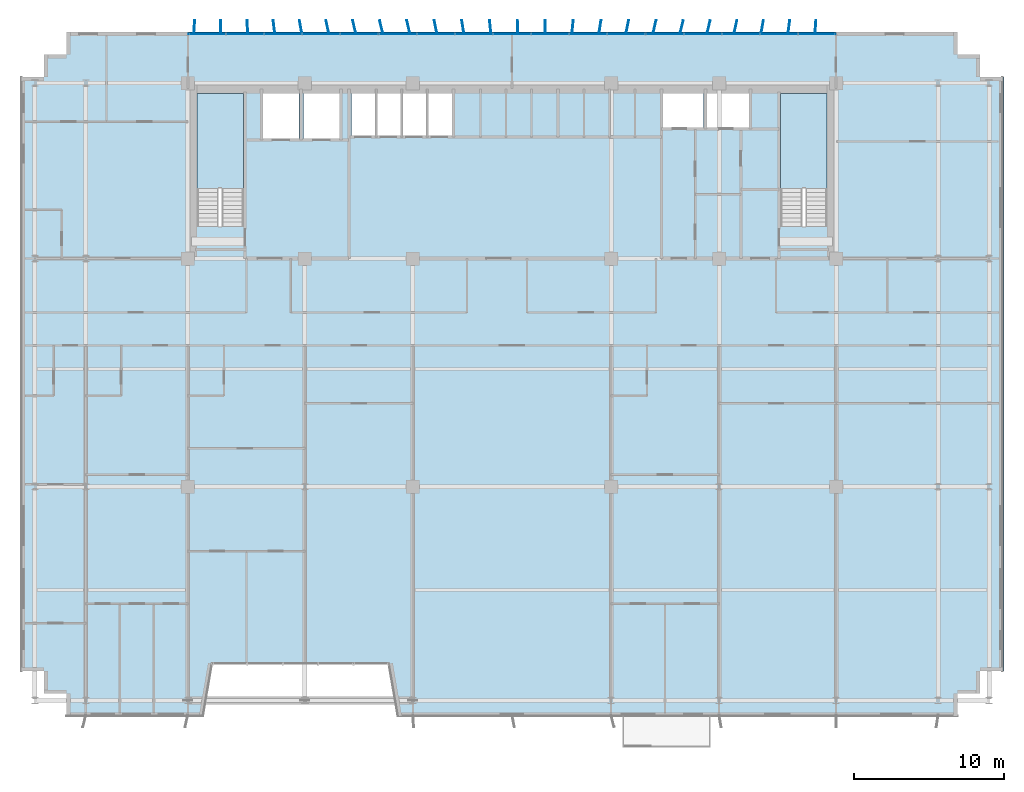
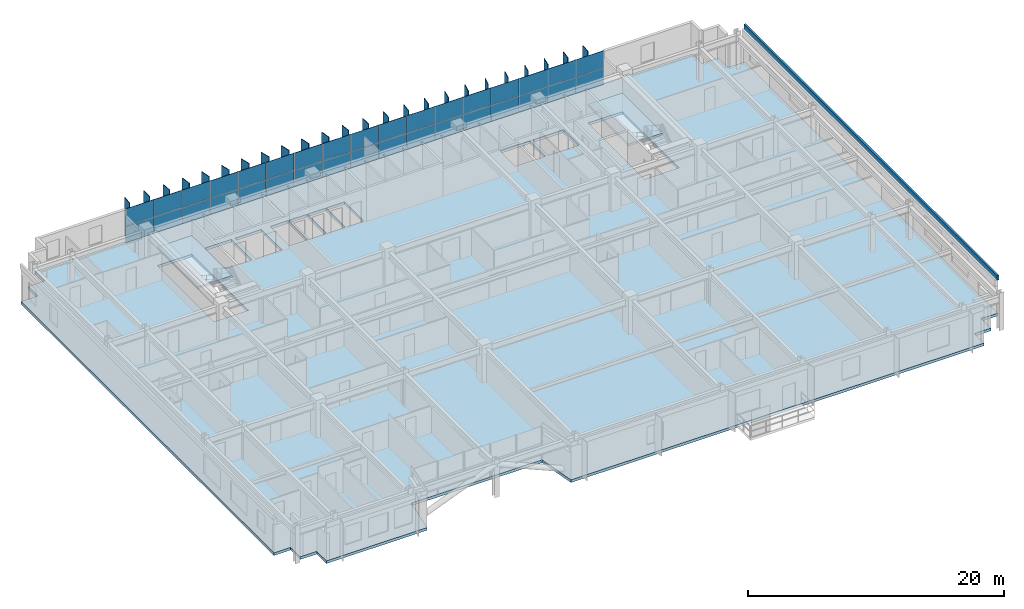
# One storey, part 17 of 25: 59 plates, 3 slabs, 3 elements without a shape of their own.
"""IFC4 building model written with IfcOpenShell, lengths in metres."""

from ifc_helpers import new_model, si_unit, direction, frame, origin, origin_2d, place, context, subcontext, project, spatial, polyline, rectangle, outline, extrude, source, transform, mapped, material, layer, layer_set, type_object, element, aggregate, save


model = new_model("IFC4")

# Units and contexts
model_context = context("Model", 3, precision=1e-05, world=origin(), true_north=direction((0.0, 1.0)))
body_context = subcontext(model_context, "Body", "Model", "MODEL_VIEW")
ifc_project = project(units=[si_unit("LENGTHUNIT", "METRE"), si_unit("AREAUNIT", "SQUARE_METRE"), si_unit("VOLUMEUNIT", "CUBIC_METRE"), si_unit("PLANEANGLEUNIT", "RADIAN"), si_unit("MASSUNIT", "GRAM", prefix="KILO")], contexts=[model_context])

# Site, building, storey
site_placement = place(None, origin())
site = spatial("IfcSite", under=ifc_project, at=site_placement, CompositionType="ELEMENT")
building_placement = place(site_placement, origin())
building = spatial("IfcBuilding", under=site, at=building_placement, Name="Trelvane Seafront Commons", CompositionType="ELEMENT")
storey_placement = place(building_placement, frame((0.0, 0.0, 70.300048828125)))
storey = spatial("IfcBuildingStorey", under=building, at=storey_placement, Name="L18", CompositionType="ELEMENT", Elevation=70.300048828125)

# Stair, slab
ifc_material_1 = material(Name="Concrete C40/50", Category="concrete")
stair_type_1 = type_object("IfcStairType", Name="ARCH-STR-ST-1-R20-180", PredefinedType="HALF_TURN_STAIR", material=ifc_material_1)
stair_1_placement = place(storey_placement, origin())
stair_1 = element("IfcStair", 1, at=stair_1_placement, inside=storey, type_object=stair_type_1, Name="L18 West Protected Firefighting Exit Stair ST-1", PredefinedType="HALF_TURN_STAIR")
ifc_layer_1 = layer(ifc_material_1, 0.199951171875, Name="ARCH-LND-200")
ifc_layer_set_1 = layer_set([ifc_layer_1], Name="Concrete C40/50")
slab_type_1 = type_object("IfcSlabType", Name="ARCH-LND-200", PredefinedType="LANDING", material=ifc_layer_set_1)
slab_1_placement = place(storey_placement, frame((0.0, 0.0, 1.599853515625)))
slab_1 = element("IfcSlab", 2, at=slab_1_placement, type_object=slab_type_1, Name="ST-1 landing 1", PredefinedType="LANDING", context=body_context, shape_type="SweptSolid", body=[
    extrude(outline(polyline([(19.300048828125, 38.070068359375), (19.300048828125, 44.39990234375), (16.199951171875, 44.39990234375), (16.199951171875, 38.070068359375), (19.300048828125, 38.070068359375)])), origin(), (0.0, 0.0, 1.0), 0.2001953125),
])
aggregate(stair_1, [slab_1])

stair_type_2 = type_object("IfcStairType", Name="ARCH-STR-ST-2-R20-180", PredefinedType="HALF_TURN_STAIR", material=ifc_material_1)
stair_2_placement = place(storey_placement, origin())
stair_2 = element("IfcStair", 3, at=stair_2_placement, inside=storey, type_object=stair_type_2, Name="L18 East Protected Firefighting Exit Stair ST-2", PredefinedType="HALF_TURN_STAIR")
slab_2_placement = place(storey_placement, frame((0.0, 0.0, 1.599853515625)))
slab_2 = element("IfcSlab", 4, at=slab_2_placement, type_object=slab_type_1, Name="ST-2 landing 1", PredefinedType="LANDING", context=body_context, shape_type="SweptSolid", body=[
    extrude(outline(polyline([(58.199951171875, 38.070068359375), (58.199951171875, 44.39990234375), (55.10009765625, 44.39990234375), (55.10009765625, 38.070068359375), (58.199951171875, 38.070068359375)])), origin(), (0.0, 0.0, 1.0), 0.2001953125),
])
aggregate(stair_2, [slab_2])

# Slab
ifc_material_2 = material(Name="Concrete C50/60", Category="concrete")
ifc_layer_2 = layer(ifc_material_2, 0.260009765625, Name="STR-SLB-Z1-260")
ifc_layer_set_2 = layer_set([ifc_layer_2], Name="Concrete C50/60")
slab_type_2 = type_object("IfcSlabType", Name="STR-SLB-Z1-260", PredefinedType="FLOOR", material=ifc_layer_set_2)
slab_3_placement = place(storey_placement, frame((0.0, 0.0, -0.260009765625)))
element("IfcSlab", 5, at=slab_3_placement, inside=storey, type_object=slab_type_2, Name="L18 Structural Floor Slab", PredefinedType="FLOOR", context=body_context, shape_type="SweptSolid", body=[
    extrude(outline(polyline([(7.5, 2.89990234375), (16.60009765625, 2.89990234375), (17.199951171875, 6.39990234375), (29.0, 6.39990234375), (29.60009765625, 2.89990234375), (66.89990234375, 2.89990234375), (66.89990234375, 4.39990234375), (68.39990234375, 4.39990234375), (68.39990234375, 5.89990234375), (69.89990234375, 5.89990234375), (69.89990234375, 45.5), (68.39990234375, 45.5), (68.39990234375, 47.0), (66.89990234375, 47.0), (66.89990234375, 48.5), (7.5, 48.5), (7.5, 47.0), (6.0, 47.0), (6.0, 45.5), (4.5, 45.5), (4.5, 5.89990234375), (6.0, 5.89990234375), (6.0, 4.39990234375), (7.5, 4.39990234375), (7.5, 2.89990234375)]), holes=[polyline([(19.300048828125, 35.550048828125), (16.199951171875, 35.550048828125), (16.199951171875, 44.39990234375), (19.300048828125, 44.39990234375), (19.300048828125, 35.550048828125)]), polyline([(58.199951171875, 35.550048828125), (55.10009765625, 35.550048828125), (55.10009765625, 44.39990234375), (58.199951171875, 44.39990234375), (58.199951171875, 35.550048828125)]), polyline([(23.0, 41.39990234375), (20.60009765625, 41.39990234375), (20.60009765625, 44.60009765625), (23.0, 44.60009765625), (23.0, 41.39990234375)]), polyline([(23.300048828125, 41.39990234375), (23.300048828125, 44.60009765625), (25.699951171875, 44.60009765625), (25.699951171875, 41.39990234375), (23.300048828125, 41.39990234375)]), polyline([(26.5, 41.60009765625), (26.5, 44.60009765625), (28.1201171875, 44.60009765625), (28.1201171875, 41.60009765625), (26.5, 41.60009765625)]), polyline([(29.820068359375, 41.60009765625), (28.199951171875, 41.60009765625), (28.199951171875, 44.60009765625), (29.820068359375, 44.60009765625), (29.820068359375, 41.60009765625)]), polyline([(31.52001953125, 41.60009765625), (29.89990234375, 41.60009765625), (29.89990234375, 44.60009765625), (31.52001953125, 44.60009765625), (31.52001953125, 41.60009765625)]), polyline([(33.219970703125, 41.60009765625), (31.60009765625, 41.60009765625), (31.60009765625, 44.60009765625), (33.219970703125, 44.60009765625), (33.219970703125, 41.60009765625)]), polyline([(47.25, 42.14990234375), (47.25, 44.550048828125), (49.949951171875, 44.550048828125), (49.949951171875, 42.14990234375), (47.25, 42.14990234375)]), polyline([(50.199951171875, 42.14990234375), (50.199951171875, 44.550048828125), (53.0, 44.550048828125), (53.0, 42.14990234375), (50.199951171875, 42.14990234375)])]), origin(), (0.0, 0.0, 1.0), 0.260009765625),
])

# Plates
ifc_material_3 = material(Name="Anodised pale-silver aluminium", Category="aluminium")
ifc_layer_3 = layer(ifc_material_3, 0.06005859375, Name="ARCH-PLATE-FIN900")
ifc_layer_set_3 = layer_set([ifc_layer_3], Name="Anodised pale-silver aluminium")
plate_type_1 = type_object("IfcPlateType", Name="ARCH-PLATE-FIN900", PredefinedType="USERDEFINED", material=ifc_layer_set_3)
shared_shape_1 = source(origin(), body_context, "Body", "SweptSolid", [
    extrude(rectangle(XDim=0.89990234375, YDim=0.06005859375, at=origin_2d()), origin(), (0.0, 0.0, 1.0), 3.639892578125),
])
for number, where, z_axis, x_axis, name in (
    (6, (16.030517578125, 48.84912109375, -0.02001953125), (0.0, 0.0, 1.0), (0.067889917425, 0.997692818012, 0.0), "FIN-L18-00423"),
    (7, (17.80078125, 48.85009765625, -0.02001953125), (0.0, 0.0, 1.0), (0.002000145989, 0.999997999706, 0.0), "FIN-L18-00424"),
    (8, (19.5712890625, 48.84912109375, -0.02001953125), (0.0, 0.0, 1.0), (-0.06388612729, 0.997957194843, 0.0), "FIN-L18-00425"),
    (9, (21.34375, 48.846435546875, -0.02001953125), (0.0, 0.0, 1.0), (-0.124883013305, 0.992171473581, 0.0), "FIN-L18-00426"),
    (10, (23.12060546875, 48.843017578125, -0.02001953125), (0.0, 0.0, 1.0), (-0.176225800308, 0.984349768784, 0.0), "FIN-L18-00427"),
    (11, (24.903564453125, 48.839599609375, -0.02001953125), (0.0, 0.0, 1.0), (-0.214329610355, 0.976761392626, 0.0), "FIN-L18-00428"),
    (12, (26.693603515625, 48.837158203125, -0.02001953125), (0.0, 0.0, 1.0), (-0.236544783828, 0.971620587083, 0.0), "FIN-L18-00429"),
    (13, (28.491455078125, 48.836669921875, -0.02001953125), (0.0, 0.0, 1.0), (-0.241437528624, 0.97041636413, 0.0), "FIN-L18-00430"),
    (14, (30.297119140625, 48.837890625, -0.02001953125), (0.0, 0.0, 1.0), (-0.228891185517, 0.973452014838, 0.0), "FIN-L18-00431"),
    (15, (32.1103515625, 48.8408203125, -0.02001953125), (0.0, 0.0, 1.0), (-0.199448317435, 0.979908347078, 0.0), "FIN-L18-00432"),
    (16, (33.93017578125, 48.844482421875, -0.02001953125), (0.0, 0.0, 1.0), (-0.15511213895, 0.987896869289, 0.0), "FIN-L18-00433"),
    (17, (35.75537109375, 48.847900390625, -0.02001953125), (0.0, 0.0, 1.0), (-0.099107870143, 0.995076695575, 0.0), "FIN-L18-00434"),
    (18, (37.583984375, 48.849609375, -0.02001953125), (0.0, 0.0, 1.0), (-0.035335559878, 0.999375504107, 0.0), "FIN-L18-00435"),
    (19, (39.4140625, 48.849853515625, -0.02001953125), (0.0, 0.0, 1.0), (0.031220611495, 0.99951251789, 0.0), "FIN-L18-00436"),
    (20, (41.242919921875, 48.847900390625, -0.02001953125), (0.0, 0.0, 1.0), (0.095333238079, 0.995445414735, 0.0), "FIN-L18-00437"),
    (21, (43.068359375, 48.8447265625, -0.02001953125), (0.0, 0.0, 1.0), (0.152007809061, 0.988379292572, 0.0), "FIN-L18-00438"),
    (22, (44.888671875, 48.841064453125, -0.02001953125), (0.0, 0.0, 1.0), (0.197120089394, 0.98037935023, 0.0), "FIN-L18-00439"),
    (23, (46.702392578125, 48.838134765625, -0.02001953125), (0.0, 0.0, 1.0), (0.227552161975, 0.973765892595, 0.0), "FIN-L18-00440"),
    (24, (48.508544921875, 48.836669921875, -0.02001953125), (0.0, 0.0, 1.0), (0.241227504659, 0.970468593514, 0.0), "FIN-L18-00441"),
    (25, (50.306884765625, 48.837158203125, -0.02001953125), (0.0, 0.0, 1.0), (0.237329860906, 0.971429120998, 0.0), "FIN-L18-00442"),
    (26, (52.097412109375, 48.83935546875, -0.02001953125), (0.0, 0.0, 1.0), (0.216224910001, 0.976343581069, 0.0), "FIN-L18-00443"),
    (27, (53.880615234375, 48.8427734375, -0.02001953125), (0.0, 0.0, 1.0), (0.17899282133, 0.98385037984, 0.0), "FIN-L18-00444"),
    (28, (55.65771484375, 48.84619140625, -0.02001953125), (0.0, 0.0, 1.0), (0.12832653737, 0.991731969741, 0.0), "FIN-L18-00445"),
    (29, (57.430419921875, 48.84912109375, -0.02001953125), (0.0, 0.0, 1.0), (0.067889917425, 0.997692818012, 0.0), "FIN-L18-00446"),
):
    element("IfcPlate", number, at=place(storey_placement, frame(where, z_axis=z_axis, x_axis=x_axis)), inside=storey, type_object=plate_type_1, Name=name, ObjectType="FIN", PredefinedType="USERDEFINED", context=body_context, shape_type="MappedRepresentation", body=[
        mapped(shared_shape_1, transform((0.0, 0.0, 0.0), x_axis=(1.0, 0.0, 0.0), y_axis=(0.0, 1.0, 0.0), z_axis=(0.0, 0.0, 1.0), scale=1.0)),
    ])

# Curtain wall, plates
curtain_wall_type = type_object("IfcCurtainWallType", Name="ARCH-CW2-LOWTOWER", PredefinedType="NOTDEFINED", material=ifc_material_3)
curtain_wall_placement = place(storey_placement, origin())
curtain_wall = element("IfcCurtainWall", 30, at=curtain_wall_placement, inside=storey, type_object=curtain_wall_type, Name="CW-L18-0043", PredefinedType="NOTDEFINED")
ifc_material_4 = material(Name="Low-E coastal double glazing", Category="glass")
ifc_layer_4 = layer(ifc_material_4, 0.033935546875, Name="ARCH-CW-GLAZ-34")
ifc_layer_set_4 = layer_set([ifc_layer_4], Name="Low-E coastal double glazing")
plate_type_2 = type_object("IfcPlateType", Name="ARCH-CW-GLAZ-34", PredefinedType="CURTAIN_PANEL", material=ifc_layer_set_4)
shared_shape_2 = source(origin(), body_context, "Body", "SweptSolid", [
    extrude(rectangle(XDim=2.51708984375, YDim=0.031982421875, at=origin_2d()), origin(), (0.0, 0.0, 1.0), 1.528076171875),
])
plate_1_placement = place(storey_placement, frame((16.87060546875, 48.3701171875, 0.0), z_axis=(0.0, 0.0, 1.0), x_axis=(1.0, 0.0, 0.0)))
plate_1 = element("IfcPlate", 31, at=plate_1_placement, type_object=plate_type_2, Name="CW-L18-0043-P00-1", PredefinedType="CURTAIN_PANEL", context=body_context, shape_type="MappedRepresentation", body=[
    mapped(shared_shape_2, transform((0.0, 0.0, 0.0), x_axis=(1.0, 0.0, 0.0), y_axis=(0.0, 1.0, 0.0), z_axis=(0.0, 0.0, 1.0), scale=1.0)),
])
plate_2_placement = place(storey_placement, frame((19.411865234375, 48.3701171875, 0.0), z_axis=(0.0, 0.0, 1.0), x_axis=(1.0, 0.0, 0.0)))
plate_2 = element("IfcPlate", 32, at=plate_2_placement, type_object=plate_type_2, Name="CW-L18-0043-P01-1", PredefinedType="CURTAIN_PANEL", context=body_context, shape_type="MappedRepresentation", body=[
    mapped(shared_shape_2, transform((0.0, 0.0, 0.0), x_axis=(1.0, 0.0, 0.0), y_axis=(0.0, 1.0, 0.0), z_axis=(0.0, 0.0, 1.0), scale=1.0)),
])
plate_3_placement = place(storey_placement, frame((21.952880859375, 48.3701171875, 0.0), z_axis=(0.0, 0.0, 1.0), x_axis=(1.0, 0.0, 0.0)))
plate_3 = element("IfcPlate", 33, at=plate_3_placement, type_object=plate_type_2, Name="CW-L18-0043-P02-1", PredefinedType="CURTAIN_PANEL", context=body_context, shape_type="MappedRepresentation", body=[
    mapped(shared_shape_2, transform((0.0, 0.0, 0.0), x_axis=(1.0, 0.0, 0.0), y_axis=(0.0, 1.0, 0.0), z_axis=(0.0, 0.0, 1.0), scale=1.0)),
])
plate_4_placement = place(storey_placement, frame((24.494140625, 48.3701171875, 0.0), z_axis=(0.0, 0.0, 1.0), x_axis=(1.0, 0.0, 0.0)))
plate_4 = element("IfcPlate", 34, at=plate_4_placement, type_object=plate_type_2, Name="CW-L18-0043-P03-1", PredefinedType="CURTAIN_PANEL", context=body_context, shape_type="MappedRepresentation", body=[
    mapped(shared_shape_2, transform((0.0, 0.0, 0.0), x_axis=(1.0, 0.0, 0.0), y_axis=(0.0, 1.0, 0.0), z_axis=(0.0, 0.0, 1.0), scale=1.0)),
])
plate_5_placement = place(storey_placement, frame((27.035400390625, 48.3701171875, 0.0), z_axis=(0.0, 0.0, 1.0), x_axis=(1.0, 0.0, 0.0)))
plate_5 = element("IfcPlate", 35, at=plate_5_placement, type_object=plate_type_2, Name="CW-L18-0043-P04-1", PredefinedType="CURTAIN_PANEL", context=body_context, shape_type="MappedRepresentation", body=[
    mapped(shared_shape_2, transform((0.0, 0.0, 0.0), x_axis=(1.0, 0.0, 0.0), y_axis=(0.0, 1.0, 0.0), z_axis=(0.0, 0.0, 1.0), scale=1.0)),
])
plate_6_placement = place(storey_placement, frame((29.576416015625, 48.3701171875, 0.0), z_axis=(0.0, 0.0, 1.0), x_axis=(1.0, 0.0, 0.0)))
plate_6 = element("IfcPlate", 36, at=plate_6_placement, type_object=plate_type_2, Name="CW-L18-0043-P05-1", PredefinedType="CURTAIN_PANEL", context=body_context, shape_type="MappedRepresentation", body=[
    mapped(shared_shape_2, transform((0.0, 0.0, 0.0), x_axis=(1.0, 0.0, 0.0), y_axis=(0.0, 1.0, 0.0), z_axis=(0.0, 0.0, 1.0), scale=1.0)),
])
plate_7_placement = place(storey_placement, frame((32.11767578125, 48.3701171875, 0.0), z_axis=(0.0, 0.0, 1.0), x_axis=(1.0, 0.0, 0.0)))
plate_7 = element("IfcPlate", 37, at=plate_7_placement, type_object=plate_type_2, Name="CW-L18-0043-P06-1", PredefinedType="CURTAIN_PANEL", context=body_context, shape_type="MappedRepresentation", body=[
    mapped(shared_shape_2, transform((0.0, 0.0, 0.0), x_axis=(1.0, 0.0, 0.0), y_axis=(0.0, 1.0, 0.0), z_axis=(0.0, 0.0, 1.0), scale=1.0)),
])
plate_8_placement = place(storey_placement, frame((34.65869140625, 48.3701171875, 0.0), z_axis=(0.0, 0.0, 1.0), x_axis=(1.0, 0.0, 0.0)))
plate_8 = element("IfcPlate", 38, at=plate_8_placement, type_object=plate_type_2, Name="CW-L18-0043-P07-1", PredefinedType="CURTAIN_PANEL", context=body_context, shape_type="MappedRepresentation", body=[
    mapped(shared_shape_2, transform((0.0, 0.0, 0.0), x_axis=(1.0, 0.0, 0.0), y_axis=(0.0, 1.0, 0.0), z_axis=(0.0, 0.0, 1.0), scale=1.0)),
])
plate_9_placement = place(storey_placement, frame((37.199951171875, 48.3701171875, 0.0), z_axis=(0.0, 0.0, 1.0), x_axis=(1.0, 0.0, 0.0)))
plate_9 = element("IfcPlate", 39, at=plate_9_placement, type_object=plate_type_2, Name="CW-L18-0043-P08-1", PredefinedType="CURTAIN_PANEL", context=body_context, shape_type="MappedRepresentation", body=[
    mapped(shared_shape_2, transform((0.0, 0.0, 0.0), x_axis=(1.0, 0.0, 0.0), y_axis=(0.0, 1.0, 0.0), z_axis=(0.0, 0.0, 1.0), scale=1.0)),
])
plate_10_placement = place(storey_placement, frame((39.7412109375, 48.3701171875, 0.0), z_axis=(0.0, 0.0, 1.0), x_axis=(1.0, 0.0, 0.0)))
plate_10 = element("IfcPlate", 40, at=plate_10_placement, type_object=plate_type_2, Name="CW-L18-0043-P09-1", PredefinedType="CURTAIN_PANEL", context=body_context, shape_type="MappedRepresentation", body=[
    mapped(shared_shape_2, transform((0.0, 0.0, 0.0), x_axis=(1.0, 0.0, 0.0), y_axis=(0.0, 1.0, 0.0), z_axis=(0.0, 0.0, 1.0), scale=1.0)),
])
plate_11_placement = place(storey_placement, frame((42.282470703125, 48.3701171875, 0.0), z_axis=(0.0, 0.0, 1.0), x_axis=(1.0, 0.0, 0.0)))
plate_11 = element("IfcPlate", 41, at=plate_11_placement, type_object=plate_type_2, Name="CW-L18-0043-P10-1", PredefinedType="CURTAIN_PANEL", context=body_context, shape_type="MappedRepresentation", body=[
    mapped(shared_shape_2, transform((0.0, 0.0, 0.0), x_axis=(1.0, 0.0, 0.0), y_axis=(0.0, 1.0, 0.0), z_axis=(0.0, 0.0, 1.0), scale=1.0)),
])
plate_12_placement = place(storey_placement, frame((44.823486328125, 48.3701171875, 0.0), z_axis=(0.0, 0.0, 1.0), x_axis=(1.0, 0.0, 0.0)))
plate_12 = element("IfcPlate", 42, at=plate_12_placement, type_object=plate_type_2, Name="CW-L18-0043-P11-1", PredefinedType="CURTAIN_PANEL", context=body_context, shape_type="MappedRepresentation", body=[
    mapped(shared_shape_2, transform((0.0, 0.0, 0.0), x_axis=(1.0, 0.0, 0.0), y_axis=(0.0, 1.0, 0.0), z_axis=(0.0, 0.0, 1.0), scale=1.0)),
])
plate_13_placement = place(storey_placement, frame((47.36474609375, 48.3701171875, 0.0), z_axis=(0.0, 0.0, 1.0), x_axis=(1.0, 0.0, 0.0)))
plate_13 = element("IfcPlate", 43, at=plate_13_placement, type_object=plate_type_2, Name="CW-L18-0043-P12-1", PredefinedType="CURTAIN_PANEL", context=body_context, shape_type="MappedRepresentation", body=[
    mapped(shared_shape_2, transform((0.0, 0.0, 0.0), x_axis=(1.0, 0.0, 0.0), y_axis=(0.0, 1.0, 0.0), z_axis=(0.0, 0.0, 1.0), scale=1.0)),
])
plate_14_placement = place(storey_placement, frame((49.906005859375, 48.3701171875, 0.0), z_axis=(0.0, 0.0, 1.0), x_axis=(1.0, 0.0, 0.0)))
plate_14 = element("IfcPlate", 44, at=plate_14_placement, type_object=plate_type_2, Name="CW-L18-0043-P13-1", PredefinedType="CURTAIN_PANEL", context=body_context, shape_type="MappedRepresentation", body=[
    mapped(shared_shape_2, transform((0.0, 0.0, 0.0), x_axis=(1.0, 0.0, 0.0), y_axis=(0.0, 1.0, 0.0), z_axis=(0.0, 0.0, 1.0), scale=1.0)),
])
plate_15_placement = place(storey_placement, frame((52.447021484375, 48.3701171875, 0.0), z_axis=(0.0, 0.0, 1.0), x_axis=(1.0, 0.0, 0.0)))
plate_15 = element("IfcPlate", 45, at=plate_15_placement, type_object=plate_type_2, Name="CW-L18-0043-P14-1", PredefinedType="CURTAIN_PANEL", context=body_context, shape_type="MappedRepresentation", body=[
    mapped(shared_shape_2, transform((0.0, 0.0, 0.0), x_axis=(1.0, 0.0, 0.0), y_axis=(0.0, 1.0, 0.0), z_axis=(0.0, 0.0, 1.0), scale=1.0)),
])
plate_16_placement = place(storey_placement, frame((54.98828125, 48.3701171875, 0.0), z_axis=(0.0, 0.0, 1.0), x_axis=(1.0, 0.0, 0.0)))
plate_16 = element("IfcPlate", 46, at=plate_16_placement, type_object=plate_type_2, Name="CW-L18-0043-P15-1", PredefinedType="CURTAIN_PANEL", context=body_context, shape_type="MappedRepresentation", body=[
    mapped(shared_shape_2, transform((0.0, 0.0, 0.0), x_axis=(1.0, 0.0, 0.0), y_axis=(0.0, 1.0, 0.0), z_axis=(0.0, 0.0, 1.0), scale=1.0)),
])
plate_17_placement = place(storey_placement, frame((57.529296875, 48.3701171875, 0.0), z_axis=(0.0, 0.0, 1.0), x_axis=(1.0, 0.0, 0.0)))
plate_17 = element("IfcPlate", 47, at=plate_17_placement, type_object=plate_type_2, Name="CW-L18-0043-P16-1", PredefinedType="CURTAIN_PANEL", context=body_context, shape_type="MappedRepresentation", body=[
    mapped(shared_shape_2, transform((0.0, 0.0, 0.0), x_axis=(1.0, 0.0, 0.0), y_axis=(0.0, 1.0, 0.0), z_axis=(0.0, 0.0, 1.0), scale=1.0)),
])
shared_shape_3 = source(origin(), body_context, "Body", "SweptSolid", [
    extrude(rectangle(XDim=2.51708984375, YDim=0.031982421875, at=origin_2d()), origin(), (0.0, 0.0, 1.0), 1.656005859375),
])
plate_18_placement = place(storey_placement, frame((16.87060546875, 48.3701171875, 1.56396484375), z_axis=(0.0, 0.0, 1.0), x_axis=(1.0, 0.0, 0.0)))
plate_18 = element("IfcPlate", 48, at=plate_18_placement, type_object=plate_type_2, Name="CW-L18-0043-P00-2", PredefinedType="CURTAIN_PANEL", context=body_context, shape_type="MappedRepresentation", body=[
    mapped(shared_shape_3, transform((0.0, 0.0, 0.0), x_axis=(1.0, 0.0, 0.0), y_axis=(0.0, 1.0, 0.0), z_axis=(0.0, 0.0, 1.0), scale=1.0)),
])
plate_19_placement = place(storey_placement, frame((19.411865234375, 48.3701171875, 1.56396484375), z_axis=(0.0, 0.0, 1.0), x_axis=(1.0, 0.0, 0.0)))
plate_19 = element("IfcPlate", 49, at=plate_19_placement, type_object=plate_type_2, Name="CW-L18-0043-P01-2", PredefinedType="CURTAIN_PANEL", context=body_context, shape_type="MappedRepresentation", body=[
    mapped(shared_shape_3, transform((0.0, 0.0, 0.0), x_axis=(1.0, 0.0, 0.0), y_axis=(0.0, 1.0, 0.0), z_axis=(0.0, 0.0, 1.0), scale=1.0)),
])
plate_20_placement = place(storey_placement, frame((21.952880859375, 48.3701171875, 1.56396484375), z_axis=(0.0, 0.0, 1.0), x_axis=(1.0, 0.0, 0.0)))
plate_20 = element("IfcPlate", 50, at=plate_20_placement, type_object=plate_type_2, Name="CW-L18-0043-P02-2", PredefinedType="CURTAIN_PANEL", context=body_context, shape_type="MappedRepresentation", body=[
    mapped(shared_shape_3, transform((0.0, 0.0, 0.0), x_axis=(1.0, 0.0, 0.0), y_axis=(0.0, 1.0, 0.0), z_axis=(0.0, 0.0, 1.0), scale=1.0)),
])
plate_21_placement = place(storey_placement, frame((24.494140625, 48.3701171875, 1.56396484375), z_axis=(0.0, 0.0, 1.0), x_axis=(1.0, 0.0, 0.0)))
plate_21 = element("IfcPlate", 51, at=plate_21_placement, type_object=plate_type_2, Name="CW-L18-0043-P03-2", PredefinedType="CURTAIN_PANEL", context=body_context, shape_type="MappedRepresentation", body=[
    mapped(shared_shape_3, transform((0.0, 0.0, 0.0), x_axis=(1.0, 0.0, 0.0), y_axis=(0.0, 1.0, 0.0), z_axis=(0.0, 0.0, 1.0), scale=1.0)),
])
plate_22_placement = place(storey_placement, frame((27.035400390625, 48.3701171875, 1.56396484375), z_axis=(0.0, 0.0, 1.0), x_axis=(1.0, 0.0, 0.0)))
plate_22 = element("IfcPlate", 52, at=plate_22_placement, type_object=plate_type_2, Name="CW-L18-0043-P04-2", PredefinedType="CURTAIN_PANEL", context=body_context, shape_type="MappedRepresentation", body=[
    mapped(shared_shape_3, transform((0.0, 0.0, 0.0), x_axis=(1.0, 0.0, 0.0), y_axis=(0.0, 1.0, 0.0), z_axis=(0.0, 0.0, 1.0), scale=1.0)),
])
plate_23_placement = place(storey_placement, frame((29.576416015625, 48.3701171875, 1.56396484375), z_axis=(0.0, 0.0, 1.0), x_axis=(1.0, 0.0, 0.0)))
plate_23 = element("IfcPlate", 53, at=plate_23_placement, type_object=plate_type_2, Name="CW-L18-0043-P05-2", PredefinedType="CURTAIN_PANEL", context=body_context, shape_type="MappedRepresentation", body=[
    mapped(shared_shape_3, transform((0.0, 0.0, 0.0), x_axis=(1.0, 0.0, 0.0), y_axis=(0.0, 1.0, 0.0), z_axis=(0.0, 0.0, 1.0), scale=1.0)),
])
plate_24_placement = place(storey_placement, frame((32.11767578125, 48.3701171875, 1.56396484375), z_axis=(0.0, 0.0, 1.0), x_axis=(1.0, 0.0, 0.0)))
plate_24 = element("IfcPlate", 54, at=plate_24_placement, type_object=plate_type_2, Name="CW-L18-0043-P06-2", PredefinedType="CURTAIN_PANEL", context=body_context, shape_type="MappedRepresentation", body=[
    mapped(shared_shape_3, transform((0.0, 0.0, 0.0), x_axis=(1.0, 0.0, 0.0), y_axis=(0.0, 1.0, 0.0), z_axis=(0.0, 0.0, 1.0), scale=1.0)),
])
plate_25_placement = place(storey_placement, frame((34.65869140625, 48.3701171875, 1.56396484375), z_axis=(0.0, 0.0, 1.0), x_axis=(1.0, 0.0, 0.0)))
plate_25 = element("IfcPlate", 55, at=plate_25_placement, type_object=plate_type_2, Name="CW-L18-0043-P07-2", PredefinedType="CURTAIN_PANEL", context=body_context, shape_type="MappedRepresentation", body=[
    mapped(shared_shape_3, transform((0.0, 0.0, 0.0), x_axis=(1.0, 0.0, 0.0), y_axis=(0.0, 1.0, 0.0), z_axis=(0.0, 0.0, 1.0), scale=1.0)),
])
plate_26_placement = place(storey_placement, frame((37.199951171875, 48.3701171875, 1.56396484375), z_axis=(0.0, 0.0, 1.0), x_axis=(1.0, 0.0, 0.0)))
plate_26 = element("IfcPlate", 56, at=plate_26_placement, type_object=plate_type_2, Name="CW-L18-0043-P08-2", PredefinedType="CURTAIN_PANEL", context=body_context, shape_type="MappedRepresentation", body=[
    mapped(shared_shape_3, transform((0.0, 0.0, 0.0), x_axis=(1.0, 0.0, 0.0), y_axis=(0.0, 1.0, 0.0), z_axis=(0.0, 0.0, 1.0), scale=1.0)),
])
plate_27_placement = place(storey_placement, frame((39.7412109375, 48.3701171875, 1.56396484375), z_axis=(0.0, 0.0, 1.0), x_axis=(1.0, 0.0, 0.0)))
plate_27 = element("IfcPlate", 57, at=plate_27_placement, type_object=plate_type_2, Name="CW-L18-0043-P09-2", PredefinedType="CURTAIN_PANEL", context=body_context, shape_type="MappedRepresentation", body=[
    mapped(shared_shape_3, transform((0.0, 0.0, 0.0), x_axis=(1.0, 0.0, 0.0), y_axis=(0.0, 1.0, 0.0), z_axis=(0.0, 0.0, 1.0), scale=1.0)),
])
plate_28_placement = place(storey_placement, frame((42.282470703125, 48.3701171875, 1.56396484375), z_axis=(0.0, 0.0, 1.0), x_axis=(1.0, 0.0, 0.0)))
plate_28 = element("IfcPlate", 58, at=plate_28_placement, type_object=plate_type_2, Name="CW-L18-0043-P10-2", PredefinedType="CURTAIN_PANEL", context=body_context, shape_type="MappedRepresentation", body=[
    mapped(shared_shape_3, transform((0.0, 0.0, 0.0), x_axis=(1.0, 0.0, 0.0), y_axis=(0.0, 1.0, 0.0), z_axis=(0.0, 0.0, 1.0), scale=1.0)),
])
plate_29_placement = place(storey_placement, frame((44.823486328125, 48.3701171875, 1.56396484375), z_axis=(0.0, 0.0, 1.0), x_axis=(1.0, 0.0, 0.0)))
plate_29 = element("IfcPlate", 59, at=plate_29_placement, type_object=plate_type_2, Name="CW-L18-0043-P11-2", PredefinedType="CURTAIN_PANEL", context=body_context, shape_type="MappedRepresentation", body=[
    mapped(shared_shape_3, transform((0.0, 0.0, 0.0), x_axis=(1.0, 0.0, 0.0), y_axis=(0.0, 1.0, 0.0), z_axis=(0.0, 0.0, 1.0), scale=1.0)),
])
plate_30_placement = place(storey_placement, frame((47.36474609375, 48.3701171875, 1.56396484375), z_axis=(0.0, 0.0, 1.0), x_axis=(1.0, 0.0, 0.0)))
plate_30 = element("IfcPlate", 60, at=plate_30_placement, type_object=plate_type_2, Name="CW-L18-0043-P12-2", PredefinedType="CURTAIN_PANEL", context=body_context, shape_type="MappedRepresentation", body=[
    mapped(shared_shape_3, transform((0.0, 0.0, 0.0), x_axis=(1.0, 0.0, 0.0), y_axis=(0.0, 1.0, 0.0), z_axis=(0.0, 0.0, 1.0), scale=1.0)),
])
plate_31_placement = place(storey_placement, frame((49.906005859375, 48.3701171875, 1.56396484375), z_axis=(0.0, 0.0, 1.0), x_axis=(1.0, 0.0, 0.0)))
plate_31 = element("IfcPlate", 61, at=plate_31_placement, type_object=plate_type_2, Name="CW-L18-0043-P13-2", PredefinedType="CURTAIN_PANEL", context=body_context, shape_type="MappedRepresentation", body=[
    mapped(shared_shape_3, transform((0.0, 0.0, 0.0), x_axis=(1.0, 0.0, 0.0), y_axis=(0.0, 1.0, 0.0), z_axis=(0.0, 0.0, 1.0), scale=1.0)),
])
plate_32_placement = place(storey_placement, frame((52.447021484375, 48.3701171875, 1.56396484375), z_axis=(0.0, 0.0, 1.0), x_axis=(1.0, 0.0, 0.0)))
plate_32 = element("IfcPlate", 62, at=plate_32_placement, type_object=plate_type_2, Name="CW-L18-0043-P14-2", PredefinedType="CURTAIN_PANEL", context=body_context, shape_type="MappedRepresentation", body=[
    mapped(shared_shape_3, transform((0.0, 0.0, 0.0), x_axis=(1.0, 0.0, 0.0), y_axis=(0.0, 1.0, 0.0), z_axis=(0.0, 0.0, 1.0), scale=1.0)),
])
plate_33_placement = place(storey_placement, frame((54.98828125, 48.3701171875, 1.56396484375), z_axis=(0.0, 0.0, 1.0), x_axis=(1.0, 0.0, 0.0)))
plate_33 = element("IfcPlate", 63, at=plate_33_placement, type_object=plate_type_2, Name="CW-L18-0043-P15-2", PredefinedType="CURTAIN_PANEL", context=body_context, shape_type="MappedRepresentation", body=[
    mapped(shared_shape_3, transform((0.0, 0.0, 0.0), x_axis=(1.0, 0.0, 0.0), y_axis=(0.0, 1.0, 0.0), z_axis=(0.0, 0.0, 1.0), scale=1.0)),
])
plate_34_placement = place(storey_placement, frame((57.529296875, 48.3701171875, 1.56396484375), z_axis=(0.0, 0.0, 1.0), x_axis=(1.0, 0.0, 0.0)))
plate_34 = element("IfcPlate", 64, at=plate_34_placement, type_object=plate_type_2, Name="CW-L18-0043-P16-2", PredefinedType="CURTAIN_PANEL", context=body_context, shape_type="MappedRepresentation", body=[
    mapped(shared_shape_3, transform((0.0, 0.0, 0.0), x_axis=(1.0, 0.0, 0.0), y_axis=(0.0, 1.0, 0.0), z_axis=(0.0, 0.0, 1.0), scale=1.0)),
])
aggregate(curtain_wall, [plate_1, plate_18, plate_2, plate_19, plate_3, plate_20, plate_4, plate_21, plate_5, plate_22, plate_6, plate_23, plate_7, plate_24, plate_8, plate_25, plate_9, plate_26, plate_10, plate_27, plate_11, plate_28, plate_12, plate_29, plate_13, plate_30, plate_14, plate_31, plate_15, plate_32, plate_16, plate_33, plate_17, plate_34])

# Plate
ifc_layer_5 = layer(ifc_material_3, 0.179931640625, Name="ARCH-PLATE-AERO")
ifc_layer_set_5 = layer_set([ifc_layer_5], Name="Anodised pale-silver aluminium")
plate_type_3 = type_object("IfcPlateType", Name="ARCH-PLATE-AERO", PredefinedType="SHEET", material=ifc_layer_set_5)
shared_shape_4 = source(origin(), body_context, "Body", "SweptSolid", [
    extrude(rectangle(XDim=39.60009765625, YDim=0.179931640625, at=origin_2d()), origin(), (0.0, 0.0, 1.0), 0.4599609375),
])
plate_35_placement = place(storey_placement, frame((69.89990234375, 25.699951171875, 3.159912109375), z_axis=(0.0, 0.0, 1.0), x_axis=(0.0, -1.0, 0.0)))
element("IfcPlate", 65, at=plate_35_placement, inside=storey, type_object=plate_type_3, Name="AER-L18-00065", PredefinedType="SHEET", context=body_context, shape_type="MappedRepresentation", body=[
    mapped(shared_shape_4, transform((0.0, 0.0, 0.0), x_axis=(1.0, 0.0, 0.0), y_axis=(0.0, 1.0, 0.0), z_axis=(0.0, 0.0, 1.0), scale=1.0)),
])

save(model, "model.ifc")
